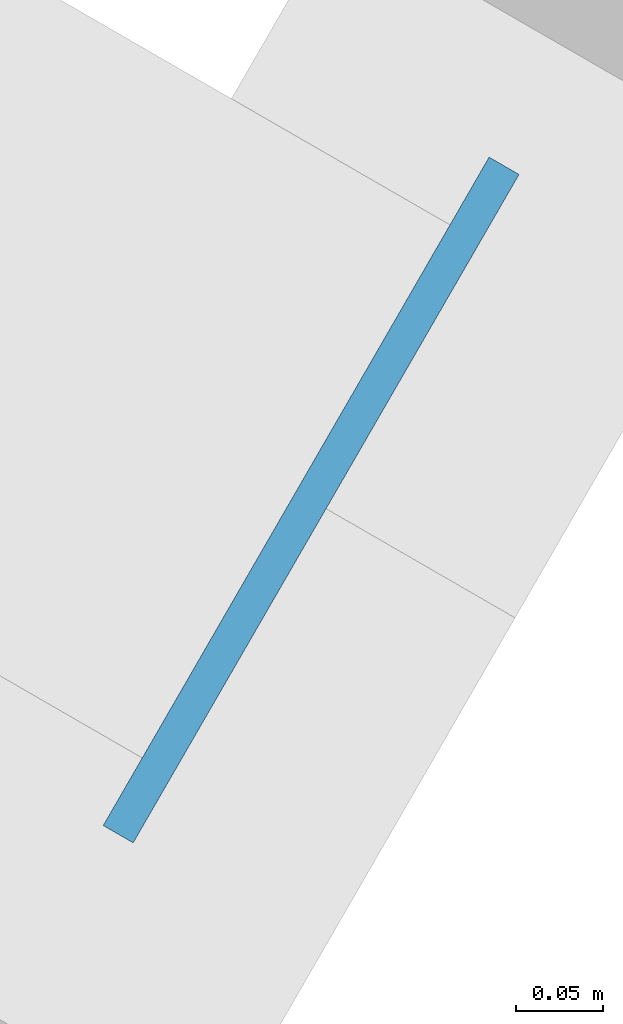
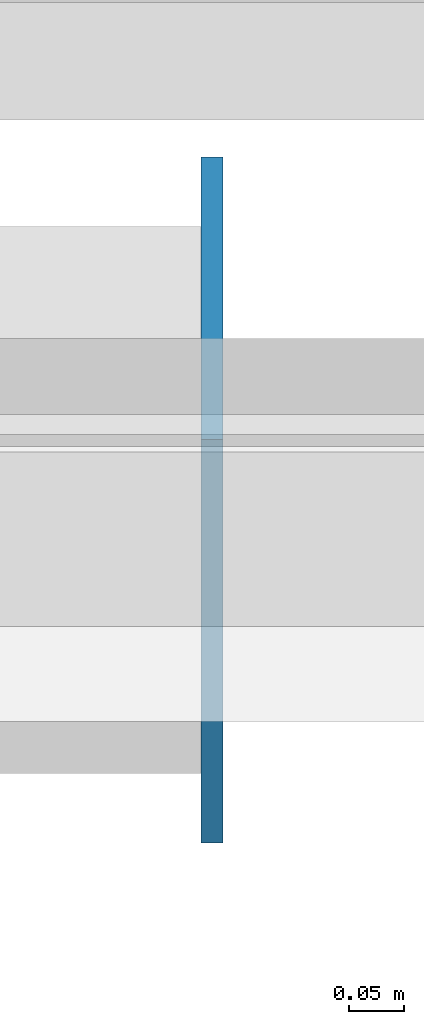
# One storey, part 22 of 26: 1 discrete accessory.
"""IFC4 building model written with IfcOpenShell, lengths in metres."""

from ifc_helpers import new_model, si_unit, direction, frame, origin, origin_2d, place, context, subcontext, project, spatial, rectangle, extrude, material, layer, layer_set, type_object, element, save


model = new_model("IFC4")

# Units and contexts
model_context = context("Model", 3, precision=1e-05, world=origin(), true_north=direction((0.0, 1.0)))
body_context = subcontext(model_context, "Body", "Model", "MODEL_VIEW")
ifc_project = project(units=[si_unit("LENGTHUNIT", "METRE"), si_unit("AREAUNIT", "SQUARE_METRE"), si_unit("VOLUMEUNIT", "CUBIC_METRE"), si_unit("PLANEANGLEUNIT", "RADIAN"), si_unit("MASSUNIT", "GRAM", prefix="KILO")], contexts=[model_context])

# Site, building, storey
site_placement = place(None, origin())
site = spatial("IfcSite", under=ifc_project, at=site_placement, CompositionType="ELEMENT")
building_placement = place(site_placement, origin())
building = spatial("IfcBuilding", under=site, at=building_placement, Name="Firuza Gate Tower and Library", CompositionType="ELEMENT")
storey_placement = place(building_placement, frame((0.0, 0.0, 155.800048828125)))
storey = spatial("IfcBuildingStorey", under=building, at=storey_placement, Name="L35", CompositionType="ELEMENT", Elevation=155.800048828125)

# Discrete accessory
ifc_material = material(Name="Steel S355", Category="steel")
ifc_layer = layer(ifc_material, 0.02001953125)
ifc_layer_set = layer_set([ifc_layer], Name="Tie end plate 450x450x20 Steel S355")
discrete_accessory_type = type_object("IfcDiscreteAccessoryType", Name="Tie end plate 450x450x20 Steel S355", PredefinedType="BRACKET", material=ifc_layer_set)
discrete_accessory_placement = place(storey_placement, frame((58.5380859375, 84.50439453125, -0.56298828125), z_axis=(0.0, 0.0, 1.0), x_axis=(0.866025333971, -0.50000012092, 0.0)))
element("IfcDiscreteAccessory", 1, at=discrete_accessory_placement, inside=storey, type_object=discrete_accessory_type, Name="Tie end plate", PredefinedType="BRACKET", context=body_context, shape_type="SweptSolid", body=[
    extrude(rectangle(XDim=0.02001953125, YDim=0.446044921875, at=origin_2d()), origin(), (0.0, 0.0, 1.0), 0.446044921875),
])

save(model, "model.ifc")
